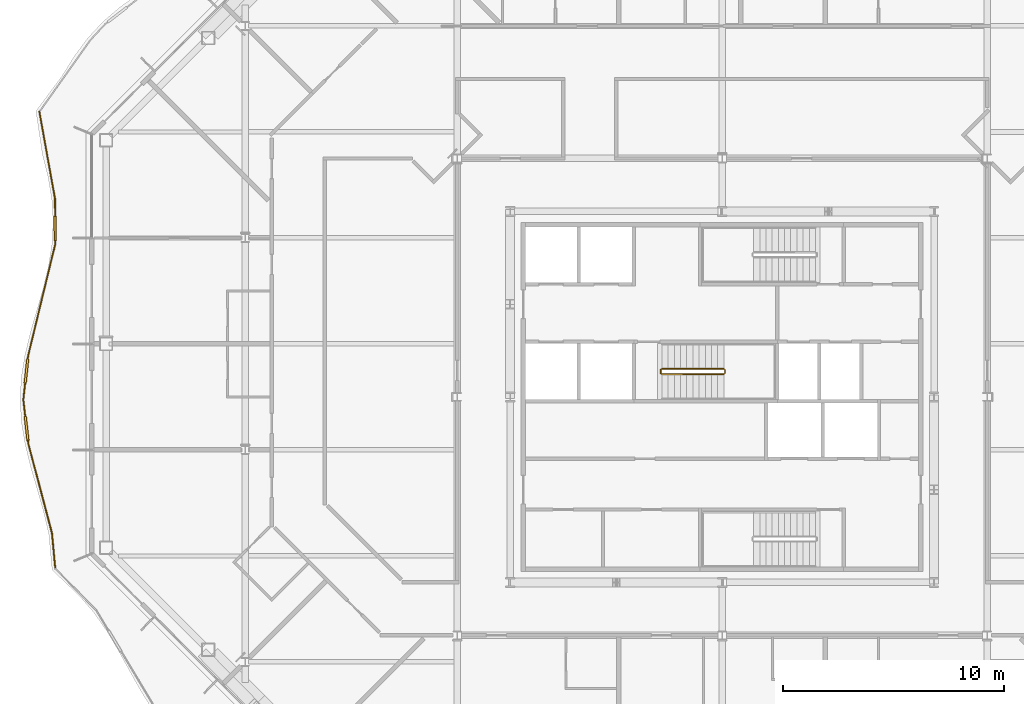
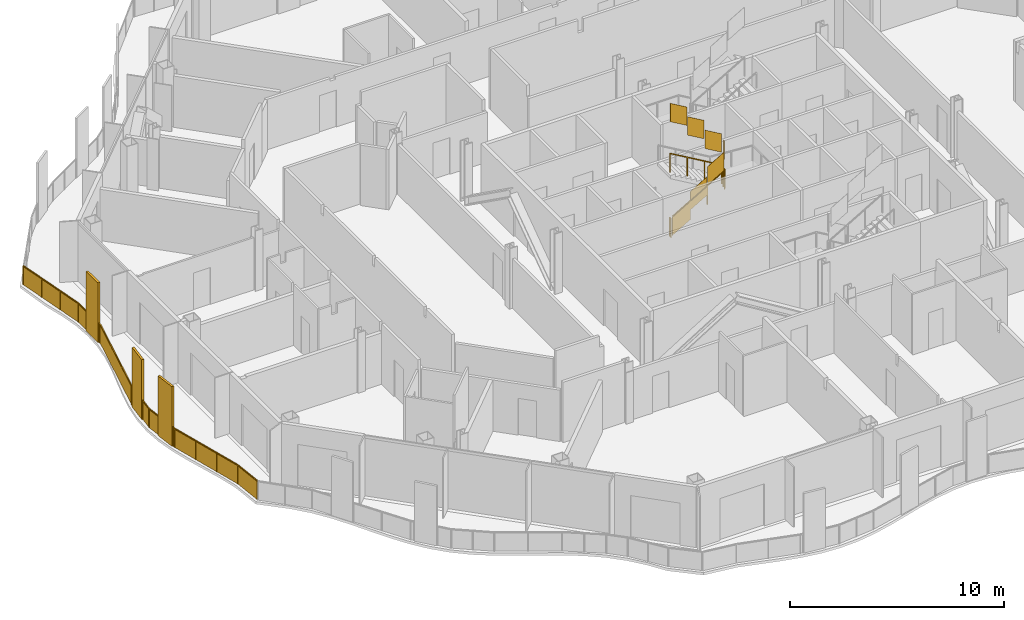
# One storey, part 16 of 21: 3 railings.
"""IFC4 building model written with IfcOpenShell, lengths in metres."""

from ifc_helpers import new_model, si_unit, direction, frame, origin, origin_2d, place, context, subcontext, project, spatial, polyline, rectangle, outline, extrude, material, type_object, element, save


model = new_model("IFC4")

# Units and contexts
model_context = context("Model", 3, precision=1e-05, world=origin(), true_north=direction((0.0, 1.0)))
body_context = subcontext(model_context, "Body", "Model", "MODEL_VIEW")
ifc_project = project(units=[si_unit("LENGTHUNIT", "METRE"), si_unit("AREAUNIT", "SQUARE_METRE"), si_unit("VOLUMEUNIT", "CUBIC_METRE"), si_unit("PLANEANGLEUNIT", "RADIAN"), si_unit("MASSUNIT", "GRAM", prefix="KILO")], contexts=[model_context])

# Site, building, storey
site_placement = place(None, origin())
site = spatial("IfcSite", under=ifc_project, at=site_placement, CompositionType="ELEMENT")
building_placement = place(site_placement, origin())
building = spatial("IfcBuilding", under=site, at=building_placement, Name="Cairn Pilgrim Tower", CompositionType="ELEMENT")
storey_placement = place(building_placement, frame((0.0, 0.0, 157.800048828125)))
storey = spatial("IfcBuildingStorey", under=building, at=storey_placement, Name="L39", CompositionType="ELEMENT", Elevation=157.800048828125)

# Railings
ifc_material_1 = material(Name="Bronze anodised aluminium rail, posts and fin screens with laminated glass infill", Category="aluminium")
railing_type_1 = type_object("IfcRailingType", Name="BALCONY GUARD WITH FIN SCREENS", PredefinedType="GUARDRAIL", material=ifc_material_1)
railing_1_placement = place(storey_placement, frame((-23.722412109375, 15.3095703125, 0.0)))
element("IfcRailing", 1, at=railing_1_placement, inside=storey, type_object=railing_type_1, Name="Balcony guard BGF-7 with fin screens", PredefinedType="GUARDRAIL", context=body_context, shape_type="SweptSolid", body=[
    extrude(rectangle(XDim=0.050048828125, YDim=0.050048828125, at=origin_2d()), frame((0.0, 0.0, 1.0751953125), z_axis=(0.17706528771, -0.984199107848, 0.0), x_axis=(0.984199107848, 0.17706528771, 0.0)), (0.0, 0.0, 1.0), 3.990234375),
    extrude(rectangle(XDim=1.10009765625, YDim=0.110107421875, at=origin_2d()), frame((0.71630859375, -5.279541015625, 0.0), z_axis=(0.0, 0.0, 1.0), x_axis=(0.007136727964, -0.999974533233, 0.0)), (0.0, 0.0, 1.0), 3.39990234375),
    extrude(rectangle(XDim=0.050048828125, YDim=0.050048828125, at=origin_2d()), frame((0.70654296875, -3.92724609375, 1.0751953125), z_axis=(0.007136727964, -0.999974533233, 0.0), x_axis=(0.999974533233, 0.007136727964, 0.0)), (0.0, 0.0, 1.0), 0.80224609375),
    extrude(rectangle(XDim=0.050048828125, YDim=0.050048828125, at=origin_2d()), frame((0.72021484375, -5.82958984375, 1.0751953125), z_axis=(0.007136727964, -0.999974533233, 0.0), x_axis=(0.999974533233, 0.007136727964, 0.0)), (0.0, 0.0, 1.0), 0.150146484375),
    extrude(rectangle(XDim=0.050048828125, YDim=0.050048828125, at=origin_2d()), frame((0.72119140625, -5.979736328125, 1.0751953125), z_axis=(-0.236332442086, -0.971672257923, 0.0), x_axis=(0.971672257923, -0.236332442086, 0.0)), (0.0, 0.0, 1.0), 5.20849609375),
    extrude(rectangle(XDim=1.10009765625, YDim=0.110107421875, at=origin_2d()), frame((-0.58544921875, -11.736572265625, 0.0), z_axis=(0.0, 0.0, 1.0), x_axis=(-0.108040882298, -0.994146451863, 0.0)), (0.0, 0.0, 1.0), 3.39990234375),
    extrude(rectangle(XDim=0.050048828125, YDim=0.050048828125, at=origin_2d()), frame((-0.509765625, -11.040771484375, 1.0751953125), z_axis=(-0.108040882298, -0.994146451863, 0.0), x_axis=(0.994146451863, -0.108040882298, 0.0)), (0.0, 0.0, 1.0), 0.14990234375),
    extrude(rectangle(XDim=0.050048828125, YDim=0.050048828125, at=origin_2d()), frame((-0.644775390625, -12.283447265625, 1.0751953125), z_axis=(-0.108040882298, -0.994146451863, 0.0), x_axis=(0.994146451863, -0.108040882298, 0.0)), (0.0, 0.0, 1.0), 0.7568359375),
    extrude(rectangle(XDim=1.10009765625, YDim=0.110107421875, at=origin_2d()), frame((-0.580078125, -14.33349609375, 0.0), z_axis=(0.0, 0.0, 1.0), x_axis=(0.112194312548, -0.993686286628, 0.0)), (0.0, 0.0, 1.0), 3.39990234375),
    extrude(rectangle(XDim=0.050048828125, YDim=0.050048828125, at=origin_2d()), frame((-0.7265625, -13.03564453125, 1.0751953125), z_axis=(0.112194312548, -0.993686286628, 0.0), x_axis=(0.993686286628, 0.112194312548, 0.0)), (0.0, 0.0, 1.0), 0.756103515625),
    extrude(rectangle(XDim=0.050048828125, YDim=0.050048828125, at=origin_2d()), frame((-0.518310546875, -14.880126953125, 1.0751953125), z_axis=(0.112194312548, -0.993686286628, 0.0), x_axis=(0.993686286628, 0.112194312548, 0.0)), (0.0, 0.0, 1.0), 0.150146484375),
    extrude(rectangle(XDim=0.050048828125, YDim=0.050048828125, at=origin_2d()), frame((-0.50146484375, -15.029296875, 1.0751953125), z_axis=(0.255725699793, -0.966749381414, 0.0), x_axis=(0.966749381414, 0.255725699793, 0.0)), (0.0, 0.0, 1.0), 4.1826171875),
    extrude(rectangle(XDim=0.050048828125, YDim=0.050048828125, at=origin_2d()), frame((0.568115234375, -19.07275390625, 1.0751953125), z_axis=(0.093729131849, -0.995597734953, 0.0), x_axis=(0.995597734953, 0.093729131849, 0.0)), (0.0, 0.0, 1.0), 1.5576171875),
    extrude(rectangle(XDim=0.050048828125, YDim=0.050048828125, at=origin_2d()), origin(), (0.0, 0.0, 1.0), 1.050048828125),
    extrude(rectangle(XDim=0.050048828125, YDim=0.050048828125, at=origin_2d()), frame((0.235595703125, -1.30908203125, 0.0)), (0.0, 0.0, 1.0), 1.050048828125),
    extrude(rectangle(XDim=0.050048828125, YDim=0.050048828125, at=origin_2d()), frame((0.470947265625, -2.6181640625, 0.0)), (0.0, 0.0, 1.0), 1.050048828125),
    extrude(rectangle(XDim=0.050048828125, YDim=0.050048828125, at=origin_2d()), frame((0.70654296875, -3.92724609375, 0.0)), (0.0, 0.0, 1.0), 1.050048828125),
    extrude(rectangle(XDim=0.050048828125, YDim=0.050048828125, at=origin_2d()), frame((0.712158203125, -4.70458984375, 0.0)), (0.0, 0.0, 1.0), 1.050048828125),
    extrude(rectangle(XDim=0.050048828125, YDim=0.050048828125, at=origin_2d()), frame((0.72021484375, -5.8544921875, 0.0)), (0.0, 0.0, 1.0), 1.050048828125),
    extrude(rectangle(XDim=0.050048828125, YDim=0.050048828125, at=origin_2d()), frame((0.72119140625, -5.979736328125, 0.0)), (0.0, 0.0, 1.0), 1.050048828125),
    extrude(rectangle(XDim=0.050048828125, YDim=0.050048828125, at=origin_2d()), frame((0.310791015625, -7.666748046875, 0.0)), (0.0, 0.0, 1.0), 1.050048828125),
    extrude(rectangle(XDim=0.050048828125, YDim=0.050048828125, at=origin_2d()), frame((-0.099365234375, -9.353759765625, 0.0)), (0.0, 0.0, 1.0), 1.050048828125),
    extrude(rectangle(XDim=0.050048828125, YDim=0.050048828125, at=origin_2d()), frame((-0.509765625, -11.040771484375, 0.0)), (0.0, 0.0, 1.0), 1.050048828125),
    extrude(rectangle(XDim=0.050048828125, YDim=0.050048828125, at=origin_2d()), frame((-0.523193359375, -11.164794921875, 0.0)), (0.0, 0.0, 1.0), 1.050048828125),
    extrude(rectangle(XDim=0.050048828125, YDim=0.050048828125, at=origin_2d()), frame((-0.6474609375, -12.30810546875, 0.0)), (0.0, 0.0, 1.0), 1.050048828125),
    extrude(rectangle(XDim=0.050048828125, YDim=0.050048828125, at=origin_2d()), frame((-0.7265625, -13.03564453125, 0.0)), (0.0, 0.0, 1.0), 1.050048828125),
    extrude(rectangle(XDim=0.050048828125, YDim=0.050048828125, at=origin_2d()), frame((-0.64453125, -13.76220703125, 0.0)), (0.0, 0.0, 1.0), 1.050048828125),
    extrude(rectangle(XDim=0.050048828125, YDim=0.050048828125, at=origin_2d()), frame((-0.515625, -14.905029296875, 0.0)), (0.0, 0.0, 1.0), 1.050048828125),
    extrude(rectangle(XDim=0.050048828125, YDim=0.050048828125, at=origin_2d()), frame((-0.50146484375, -15.029296875, 0.0)), (0.0, 0.0, 1.0), 1.050048828125),
    extrude(rectangle(XDim=0.050048828125, YDim=0.050048828125, at=origin_2d()), frame((-0.14501953125, -16.377197265625, 0.0)), (0.0, 0.0, 1.0), 1.050048828125),
    extrude(rectangle(XDim=0.050048828125, YDim=0.050048828125, at=origin_2d()), frame((0.211669921875, -17.724853515625, 0.0)), (0.0, 0.0, 1.0), 1.050048828125),
    extrude(rectangle(XDim=0.050048828125, YDim=0.050048828125, at=origin_2d()), frame((0.568115234375, -19.07275390625, 0.0)), (0.0, 0.0, 1.0), 1.050048828125),
    extrude(rectangle(XDim=0.050048828125, YDim=0.050048828125, at=origin_2d()), frame((0.714111328125, -20.62353515625, 0.0)), (0.0, 0.0, 1.0), 1.050048828125),
    extrude(outline(polyline([(0.02490234375, 0.0), (1.30517578125, 0.0), (1.30517578125, 1.050048828125), (0.02490234375, 1.050048828125), (0.02490234375, 0.0)])), frame((0.005859375, 0.0009765625, 0.0), z_axis=(-0.984199107848, -0.17706528771, 0.0), x_axis=(0.17706528771, -0.984199107848, 0.0)), (0.0, 0.0, 1.0), 0.011962890625),
    extrude(outline(polyline([(0.02490234375, 0.0), (1.30517578125, 0.0), (1.30517578125, 1.050048828125), (0.02490234375, 1.050048828125), (0.02490234375, 0.0)])), frame((0.241455078125, -1.30810546875, 0.0), z_axis=(-0.984199107848, -0.17706528771, 0.0), x_axis=(0.17706528771, -0.984199107848, 0.0)), (0.0, 0.0, 1.0), 0.011962890625),
    extrude(outline(polyline([(0.02490234375, 0.0), (1.30517578125, 0.0), (1.30517578125, 1.050048828125), (0.02490234375, 1.050048828125), (0.02490234375, 0.0)])), frame((0.476806640625, -2.6171875, 0.0), z_axis=(-0.984199107848, -0.17706528771, 0.0), x_axis=(0.17706528771, -0.984199107848, 0.0)), (0.0, 0.0, 1.0), 0.011962890625),
    extrude(outline(polyline([(0.02490234375, 0.0), (0.752197265625, 0.0), (0.752197265625, 1.050048828125), (0.02490234375, 1.050048828125), (0.02490234375, 0.0)])), frame((0.71240234375, -3.92724609375, 0.0), z_axis=(-0.999974533233, -0.007136727964, 0.0), x_axis=(0.007136727964, -0.999974533233, 0.0)), (0.0, 0.0, 1.0), 0.011962890625),
    extrude(outline(polyline([(0.02490234375, 0.0), (0.10009765625, 0.0), (0.10009765625, 1.050048828125), (0.02490234375, 1.050048828125), (0.02490234375, 0.0)])), frame((0.726318359375, -5.8544921875, 0.0), z_axis=(-0.999974533233, -0.007136727964, 0.0), x_axis=(0.007136727964, -0.999974533233, 0.0)), (0.0, 0.0, 1.0), 0.011962890625),
    extrude(outline(polyline([(0.02490234375, 0.0), (1.711181640625, 0.0), (1.711181640625, 1.050048828125), (0.02490234375, 1.050048828125), (0.02490234375, 0.0)])), frame((0.72705078125, -5.981201171875, 0.0), z_axis=(-0.971672257923, 0.236332442086, 0.0), x_axis=(-0.236332442086, -0.971672257923, 0.0)), (0.0, 0.0, 1.0), 0.011962890625),
    extrude(outline(polyline([(0.02490234375, 0.0), (1.711181640625, 0.0), (1.711181640625, 1.050048828125), (0.02490234375, 1.050048828125), (0.02490234375, 0.0)])), frame((0.316650390625, -7.668212890625, 0.0), z_axis=(-0.971672257923, 0.236332442086, 0.0), x_axis=(-0.236332442086, -0.971672257923, 0.0)), (0.0, 0.0, 1.0), 0.011962890625),
    extrude(outline(polyline([(0.02490234375, 0.0), (1.711181640625, 0.0), (1.711181640625, 1.050048828125), (0.02490234375, 1.050048828125), (0.02490234375, 0.0)])), frame((-0.09375, -9.355224609375, 0.0), z_axis=(-0.971672257923, 0.236332442086, 0.0), x_axis=(-0.236332442086, -0.971672257923, 0.0)), (0.0, 0.0, 1.0), 0.011962890625),
    extrude(outline(polyline([(0.02490234375, 0.0), (0.099853515625, 0.0), (0.099853515625, 1.050048828125), (0.02490234375, 1.050048828125), (0.02490234375, 0.0)])), frame((-0.50390625, -11.04150390625, 0.0), z_axis=(-0.994146451863, 0.108040882298, 0.0), x_axis=(-0.108040882298, -0.994146451863, 0.0)), (0.0, 0.0, 1.0), 0.011962890625),
    extrude(outline(polyline([(0.02490234375, 0.0), (0.706787109375, 0.0), (0.706787109375, 1.050048828125), (0.02490234375, 1.050048828125), (0.02490234375, 0.0)])), frame((-0.6416015625, -12.308837890625, 0.0), z_axis=(-0.994146451863, 0.108040882298, 0.0), x_axis=(-0.108040882298, -0.994146451863, 0.0)), (0.0, 0.0, 1.0), 0.011962890625),
    extrude(outline(polyline([(0.02490234375, 0.0), (0.7060546875, 0.0), (0.7060546875, 1.050048828125), (0.02490234375, 1.050048828125), (0.02490234375, 0.0)])), frame((-0.720703125, -13.034912109375, 0.0), z_axis=(-0.993686286628, -0.112194312548, 0.0), x_axis=(0.112194312548, -0.993686286628, 0.0)), (0.0, 0.0, 1.0), 0.011962890625),
    extrude(outline(polyline([(0.02490234375, 0.0), (0.10009765625, 0.0), (0.10009765625, 1.050048828125), (0.02490234375, 1.050048828125), (0.02490234375, 0.0)])), frame((-0.509521484375, -14.904296875, 0.0), z_axis=(-0.993686286628, -0.112194312548, 0.0), x_axis=(0.112194312548, -0.993686286628, 0.0)), (0.0, 0.0, 1.0), 0.011962890625),
    extrude(outline(polyline([(0.02490234375, 0.0), (1.369140625, 0.0), (1.369140625, 1.050048828125), (0.02490234375, 1.050048828125), (0.02490234375, 0.0)])), frame((-0.49560546875, -15.02783203125, 0.0), z_axis=(-0.966749381414, -0.255725699793, 0.0), x_axis=(0.255725699793, -0.966749381414, 0.0)), (0.0, 0.0, 1.0), 0.011962890625),
    extrude(outline(polyline([(0.02490234375, 0.0), (1.369140625, 0.0), (1.369140625, 1.050048828125), (0.02490234375, 1.050048828125), (0.02490234375, 0.0)])), frame((-0.13916015625, -16.37548828125, 0.0), z_axis=(-0.966749381414, -0.255725699793, 0.0), x_axis=(0.255725699793, -0.966749381414, 0.0)), (0.0, 0.0, 1.0), 0.011962890625),
    extrude(outline(polyline([(0.02490234375, 0.0), (1.369140625, 0.0), (1.369140625, 1.050048828125), (0.02490234375, 1.050048828125), (0.02490234375, 0.0)])), frame((0.21728515625, -17.723388671875, 0.0), z_axis=(-0.966749381414, -0.255725699793, 0.0), x_axis=(0.255725699793, -0.966749381414, 0.0)), (0.0, 0.0, 1.0), 0.011962890625),
    extrude(outline(polyline([(0.02490234375, 0.0), (1.53271484375, 0.0), (1.53271484375, 1.050048828125), (0.02490234375, 1.050048828125), (0.02490234375, 0.0)])), frame((0.573974609375, -19.072265625, 0.0), z_axis=(-0.995597734953, -0.093729131849, 0.0), x_axis=(0.093729131849, -0.995597734953, 0.0)), (0.0, 0.0, 1.0), 0.011962890625),
])
ifc_material_2 = material(Name="Painted steel", Category="steel")
railing_type_2 = type_object("IfcRailingType", Name="STAIR GUARD 1100", PredefinedType="GUARDRAIL", material=ifc_material_2)
railing_2_placement = place(storey_placement, frame((4.47509765625, 3.425048828125, 0.16357421875)))
element("IfcRailing", 2, at=railing_2_placement, inside=storey, type_object=railing_type_2, Name="L39 ST-B stair guard 1", PredefinedType="GUARDRAIL", context=body_context, shape_type="SweptSolid", body=[
    extrude(rectangle(XDim=0.048095703125, YDim=0.048095703125, at=origin_2d()), frame((0.0, 0.0, 1.076171875), z_axis=(0.863341702679, 0.0, 0.504619762213), x_axis=(0.0, 1.0, 0.0)), (0.0, 0.0, 1.0), 3.242919921875),
    extrude(rectangle(XDim=0.048095703125, YDim=0.048095703125, at=origin_2d()), frame((2.7998046875, 0.0, 2.71240234375), z_axis=(0.707106781187, 0.707106781187, 0.0), x_axis=(-0.707106781187, 0.707106781187, 0.0)), (0.0, 0.0, 1.0), 0.07080078125),
    extrude(rectangle(XDim=0.048095703125, YDim=0.048095703125, at=origin_2d()), frame((2.849853515625, 0.050048828125, 2.71240234375), z_axis=(0.0, 1.0, 0.0), x_axis=(-1.0, 0.0, 0.0)), (0.0, 0.0, 1.0), 0.14990234375),
    extrude(rectangle(XDim=0.048095703125, YDim=0.048095703125, at=origin_2d()), frame((2.849853515625, 0.199951171875, 2.71240234375), z_axis=(-0.280808744504, 0.280808744504, 0.917765164963), x_axis=(-0.707106781187, -0.707106781187, 0.0)), (0.0, 0.0, 1.0), 0.17822265625),
    extrude(rectangle(XDim=0.048095703125, YDim=0.048095703125, at=origin_2d()), frame((2.7998046875, 0.25, 2.8759765625), z_axis=(-0.863374499697, 0.0, 0.504563646405), x_axis=(0.0, -1.0, 0.0)), (0.0, 0.0, 1.0), 3.242919921875),
    extrude(rectangle(XDim=0.0419921875, YDim=0.0419921875, at=origin_2d()), origin(), (0.0, 0.0, 1.0), 1.052001953125),
    extrude(rectangle(XDim=0.0419921875, YDim=0.0419921875, at=origin_2d()), frame((0.933349609375, 0.0, 0.54541015625)), (0.0, 0.0, 1.0), 1.052001953125),
    extrude(rectangle(XDim=0.0419921875, YDim=0.0419921875, at=origin_2d()), frame((1.866455078125, 0.0, 1.091064453125)), (0.0, 0.0, 1.0), 1.052001953125),
    extrude(rectangle(XDim=0.0419921875, YDim=0.0419921875, at=origin_2d()), frame((2.7998046875, 0.0, 1.636474609375)), (0.0, 0.0, 1.0), 1.052001953125),
    extrude(rectangle(XDim=0.0419921875, YDim=0.0419921875, at=origin_2d()), frame((2.849853515625, 0.050048828125, 1.636474609375)), (0.0, 0.0, 1.0), 1.052001953125),
    extrude(rectangle(XDim=0.0419921875, YDim=0.0419921875, at=origin_2d()), frame((2.849853515625, 0.199951171875, 1.636474609375)), (0.0, 0.0, 1.0), 1.052001953125),
    extrude(rectangle(XDim=0.0419921875, YDim=0.0419921875, at=origin_2d()), frame((2.7998046875, 0.25, 1.800048828125)), (0.0, 0.0, 1.0), 1.052001953125),
    extrude(rectangle(XDim=0.0419921875, YDim=0.0419921875, at=origin_2d()), frame((1.866455078125, 0.25, 2.345458984375)), (0.0, 0.0, 1.0), 1.052001953125),
    extrude(rectangle(XDim=0.0419921875, YDim=0.0419921875, at=origin_2d()), frame((0.933349609375, 0.25, 2.890869140625)), (0.0, 0.0, 1.0), 1.052001953125),
    extrude(rectangle(XDim=0.0419921875, YDim=0.0419921875, at=origin_2d()), frame((0.0, 0.25, 3.436279296875)), (0.0, 0.0, 1.0), 1.052001953125),
    extrude(outline(polyline([(0.02099609375, 0.01220703125), (0.912353515625, 0.533203125), (0.912353515625, 1.585205078125), (0.02099609375, 1.064208984375), (0.02099609375, 0.01220703125)])), frame((0.0, 0.005859375, 0.0), z_axis=(0.0, -1.0, 0.0), x_axis=(1.0, 0.0, 0.0)), (0.0, 0.0, 1.0), 0.011962890625),
    extrude(outline(polyline([(0.02099609375, 0.557861328125), (0.912353515625, 1.07861328125), (0.912353515625, 2.130615234375), (0.02099609375, 1.60986328125), (0.02099609375, 0.557861328125)])), frame((0.933349609375, 0.005859375, 0.54541015625), z_axis=(0.0, -1.0, 0.0), x_axis=(1.0, 0.0, 0.0)), (0.0, 0.0, 1.0), 0.011962890625),
    extrude(outline(polyline([(0.02099609375, 1.103271484375), (0.912353515625, 1.624267578125), (0.912353515625, 2.67626953125), (0.02099609375, 2.1552734375), (0.02099609375, 1.103271484375)])), frame((1.866455078125, 0.005859375, 1.091064453125), z_axis=(0.0, -1.0, 0.0), x_axis=(1.0, 0.0, 0.0)), (0.0, 0.0, 1.0), 0.011962890625),
    extrude(outline(polyline([(0.02099609375, 1.636474609375), (0.12890625, 1.636474609375), (0.12890625, 2.6884765625), (0.02099609375, 2.6884765625), (0.02099609375, 1.636474609375)])), frame((2.84375, 0.050048828125, 1.636474609375), z_axis=(1.0, 0.0, 0.0), x_axis=(0.0, 1.0, 0.0)), (0.0, 0.0, 1.0), 0.011962890625),
    extrude(outline(polyline([(0.02099609375, 1.812255859375), (0.912353515625, 2.333251953125), (0.912353515625, 3.38525390625), (0.02099609375, 2.8642578125), (0.02099609375, 1.812255859375)])), frame((2.7998046875, 0.244140625, 1.800048828125), z_axis=(0.0, 1.0, 0.0), x_axis=(-1.0, 0.0, 0.0)), (0.0, 0.0, 1.0), 0.011962890625),
    extrude(outline(polyline([(0.02099609375, 2.357666015625), (0.912353515625, 2.878662109375), (0.912353515625, 3.9306640625), (0.02099609375, 3.40966796875), (0.02099609375, 2.357666015625)])), frame((1.866455078125, 0.244140625, 2.345458984375), z_axis=(0.0, 1.0, 0.0), x_axis=(-1.0, 0.0, 0.0)), (0.0, 0.0, 1.0), 0.011962890625),
    extrude(outline(polyline([(0.02099609375, 2.903076171875), (0.912353515625, 3.424072265625), (0.912353515625, 4.47607421875), (0.02099609375, 3.955078125), (0.02099609375, 2.903076171875)])), frame((0.933349609375, 0.244140625, 2.890869140625), z_axis=(0.0, 1.0, 0.0), x_axis=(-1.0, 0.0, 0.0)), (0.0, 0.0, 1.0), 0.011962890625),
])
railing_3_placement = place(storey_placement, frame((4.425048828125, 3.47509765625, 0.0)))
element("IfcRailing", 3, at=railing_3_placement, inside=storey, type_object=railing_type_2, Name="L39 ST-B stair guard 2", PredefinedType="GUARDRAIL", context=body_context, shape_type="SweptSolid", body=[
    extrude(rectangle(XDim=0.048095703125, YDim=0.048095703125, at=origin_2d()), frame((0.0, 0.0, 1.076171875), z_axis=(0.0, 1.0, 0.0), x_axis=(-1.0, 0.0, 0.0)), (0.0, 0.0, 1.0), 0.14990234375),
    extrude(rectangle(XDim=0.0419921875, YDim=0.0419921875, at=origin_2d()), origin(), (0.0, 0.0, 1.0), 1.052001953125),
    extrude(rectangle(XDim=0.0419921875, YDim=0.0419921875, at=origin_2d()), frame((0.0, 0.14990234375, 0.0)), (0.0, 0.0, 1.0), 1.052001953125),
    extrude(outline(polyline([(0.02099609375, 0.0), (0.12890625, 0.0), (0.12890625, 1.052001953125), (0.02099609375, 1.052001953125), (0.02099609375, 0.0)])), frame((-0.005859375, 0.0, 0.0), z_axis=(1.0, 0.0, 0.0), x_axis=(0.0, 1.0, 0.0)), (0.0, 0.0, 1.0), 0.011962890625),
])

save(model, "model.ifc")
